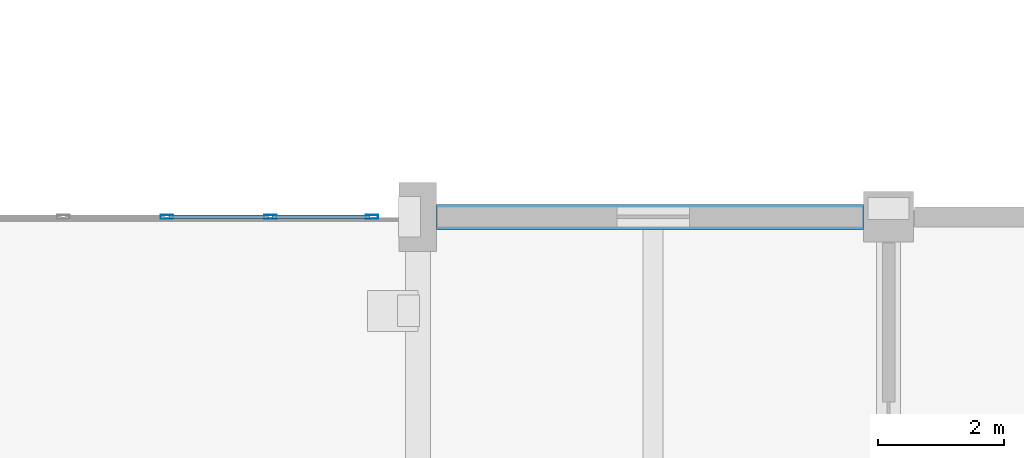
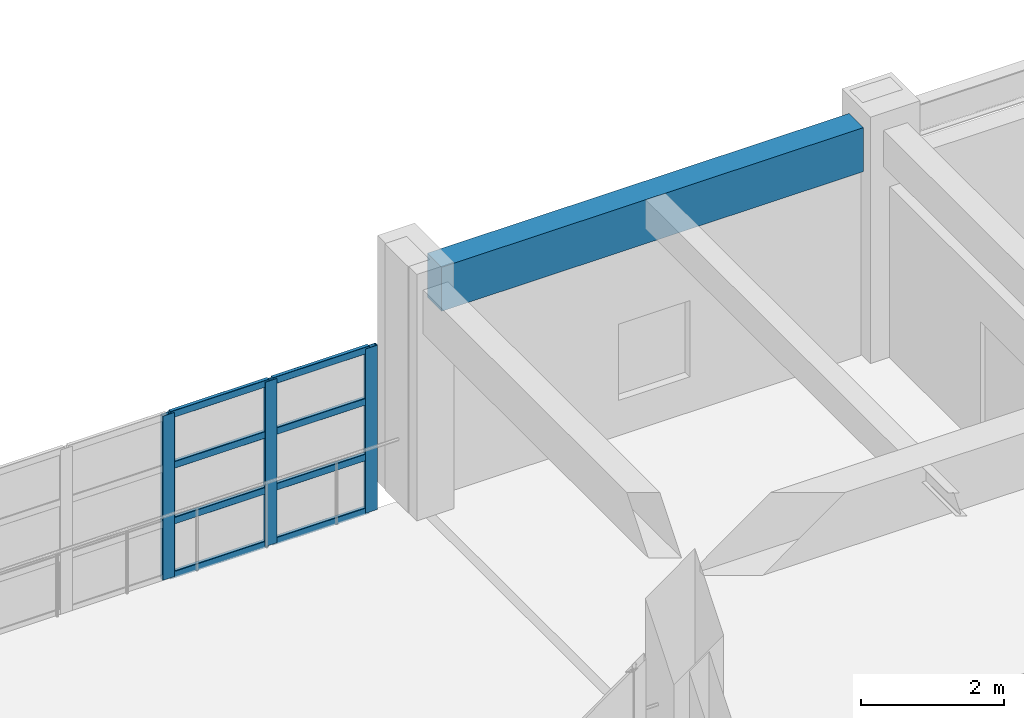
# One storey, part 49 of 124: 11 members, 1 beam, 1 element without a shape of its own.
"""IFC4 building model written with IfcOpenShell, lengths in metres."""

import ifcopenshell
import ifcopenshell.guid

model = None  # the IFC model being written
_history = None  # IfcOwnerHistory: only IFC2X3 demands one
_inside = {}  # id of a spatial element -> (the spatial element, [elements in it])
_under = {}  # id of a project, library or spatial element -> (it, [spatial elements below it])
_declared = {}  # id of a project -> (the project, [libraries it declares])
_typed = {}  # id of a type object -> (the type object, [elements of that type])
_made_of = {}  # id of a material, layer set ... -> (it, [elements and type objects made of it])


def new_model(schema):
    """Start an empty IFC model of exactly this schema.

    Asked for "IFC4X3", IfcOpenShell would pick the latest addendum, in which some entities
    have other attributes; the version numbers below select the first issue.
    IFC2X3 requires an IfcOwnerHistory on every rooted entity: one is made here for all.
    """
    global model, _history
    if schema == "IFC4X3":
        model = ifcopenshell.file(schema_version=(4, 3, 0, 0))
    else:
        model = ifcopenshell.file(schema=schema)
    _inside.clear()
    _under.clear()
    _declared.clear()
    _typed.clear()
    _made_of.clear()
    _history = None
    if model.schema == "IFC2X3":
        org = make("IfcOrganization", Name="unknown")
        user = make(
            "IfcPersonAndOrganization",
            ThePerson=make("IfcPerson", FamilyName="unknown"),
            TheOrganization=org,
        )
        app = make(
            "IfcApplication",
            ApplicationDeveloper=org,
            Version="unknown",
            ApplicationFullName="unknown",
            ApplicationIdentifier="unknown",
        )
        _history = make(
            "IfcOwnerHistory",
            OwningUser=user,
            OwningApplication=app,
            ChangeAction="ADDED",
            CreationDate=0,
        )
    return model


def make(cls, **values):
    """One entity of the class cls with the attributes given. An attribute that is None is left unset."""
    return model.create_entity(
        cls, **{name: value for name, value in values.items() if value is not None}
    )


def rooted(cls, **values):
    """An entity with a GlobalId (a new one), such as an element, a storey or a relation."""
    return make(cls, GlobalId=ifcopenshell.guid.new(), OwnerHistory=_history, **values)


def si_unit(unit_type, name, prefix=None):
    """IfcSIUnit, for example si_unit("LENGTHUNIT", "METRE", prefix="MILLI")."""
    return make("IfcSIUnit", UnitType=unit_type, Prefix=prefix, Name=name)


def assignment(units):
    """IfcUnitAssignment: the units of a project."""
    return None if units is None else make("IfcUnitAssignment", Units=units)


def point(xyz):
    """IfcCartesianPoint."""
    return None if xyz is None else make("IfcCartesianPoint", Coordinates=xyz)


def direction(xyz):
    """IfcDirection."""
    return None if xyz is None else make("IfcDirection", DirectionRatios=xyz)


def frame(location, z_axis=None, x_axis=None):
    """IfcAxis2Placement3D, a coordinate frame: its origin and axes. An axis left out is left unset."""
    return make(
        "IfcAxis2Placement3D",
        Location=point(location),
        Axis=direction(z_axis),
        RefDirection=direction(x_axis),
    )


def frame_2d(location, x_axis=None):
    """IfcAxis2Placement2D, a coordinate frame in the plane: its origin and x axis."""
    return make(
        "IfcAxis2Placement2D", Location=point(location), RefDirection=direction(x_axis)
    )


def origin():
    """The frame at (0, 0, 0) with its axes left unset."""
    return frame((0.0, 0.0, 0.0))


def origin_2d():
    """The frame at (0, 0) in the plane with its x axis left unset."""
    return frame_2d((0.0, 0.0))


def place(relative_to, where):
    """IfcLocalPlacement: puts the frame where relative to a parent placement (None: the world)."""
    return make(
        "IfcLocalPlacement", PlacementRelTo=relative_to, RelativePlacement=where
    )


def context(
    kind, dimensions, precision=None, world=None, true_north=None, identifier=None
):
    """IfcGeometricRepresentationContext, for example the 3D "Model" context."""
    return make(
        "IfcGeometricRepresentationContext",
        ContextIdentifier=identifier,
        ContextType=kind,
        CoordinateSpaceDimension=dimensions,
        Precision=precision,
        WorldCoordinateSystem=world,
        TrueNorth=true_north,
    )


def subcontext(parent, identifier, kind, view, scale=None):
    """IfcGeometricRepresentationSubContext, for example "Body" below "Model"."""
    return make(
        "IfcGeometricRepresentationSubContext",
        ContextIdentifier=identifier,
        ContextType=kind,
        ParentContext=parent,
        TargetScale=scale,
        TargetView=view,
    )


def project(units=None, contexts=None):
    """IfcProject with its units and contexts."""
    return rooted(
        "IfcProject",
        Name="project",
        RepresentationContexts=contexts,
        UnitsInContext=assignment(units),
    )


def spatial(cls, under=None, at=None, **own):
    """A site, building, storey or space (cls), placed at a placement, below another one or the project."""
    s = rooted(cls, ObjectPlacement=at, **own)
    if under is not None:
        _under.setdefault(under.id(), (under, []))[1].append(s)
    return s


def profile(cls, at=None, kind="AREA", **sizes):
    """A parametric profile (cls). Its sizes go by their IFC names, for example OverallWidth=200.0."""
    return make(cls, ProfileType=kind, Position=at, **sizes)


def rectangle(**sizes):
    """IfcRectangleProfileDef."""
    return profile("IfcRectangleProfileDef", **sizes)


def hollow_rectangle(**sizes):
    """IfcRectangleHollowProfileDef."""
    return profile("IfcRectangleHollowProfileDef", **sizes)


def extrude(swept, where, along, depth):
    """IfcExtrudedAreaSolid: the profile swept, set in the frame where, extruded along a direction by depth."""
    return make(
        "IfcExtrudedAreaSolid",
        SweptArea=swept,
        Position=where,
        ExtrudedDirection=direction(along),
        Depth=depth,
    )


def shape(context_of_items, identifier, shape_type, items):
    """IfcShapeRepresentation: the items that make up one representation, for example the "Body"."""
    return make(
        "IfcShapeRepresentation",
        ContextOfItems=context_of_items,
        RepresentationIdentifier=identifier,
        RepresentationType=shape_type,
        Items=items,
    )


def material(Name=None, Category=None):
    """IfcMaterial."""
    return make("IfcMaterial", Name=Name, Category=Category)


def material_profile(
    of_material, cross_section, Name=None, Category=None, Priority=None
):
    """IfcMaterialProfile: a cross section and its material."""
    return make(
        "IfcMaterialProfile",
        Name=Name,
        Material=of_material,
        Profile=cross_section,
        Priority=Priority,
        Category=Category,
    )


def profile_set(profiles, Name=None, composite=None):
    """IfcMaterialProfileSet."""
    return make(
        "IfcMaterialProfileSet",
        Name=Name,
        MaterialProfiles=profiles,
        CompositeProfile=composite,
    )


def made_of(thing, what):
    """Note that an element or type object is made of a material, layer set ...; save() writes the relation."""
    if what is not None:
        _made_of.setdefault(what.id(), (what, []))[1].append(thing)
    return thing


def type_object(cls, material=None, **own):
    """A type object (cls), such as IfcWallType, which elements share."""
    return made_of(rooted(cls, **own), material)


def element(
    cls,
    number,
    at=None,
    inside=None,
    cuts=None,
    type_object=None,
    material=None,
    context=None,
    identifier="Body",
    shape_type=None,
    held_by="IfcProductDefinitionShape",
    body=None,
    shapes=None,
    **own,
):
    """One element of the class cls, such as IfcWall. Its Tag is "e" and its number.

    at: its placement. inside: the storey or other place that contains it. cuts: it is an
    opening in that element (IfcRelVoidsElement). A single representation is given by context,
    identifier, shape_type and body (its items); several are given by shapes. held_by: the class
    of the entity that holds the representations. save() writes the other relations.
    """
    e = rooted(cls, Tag="e%d" % number, ObjectPlacement=at, **own)
    if body is not None:
        shapes = [shape(context, identifier, shape_type, body)]
    if shapes is not None:
        e.Representation = make(held_by, Representations=shapes)
    if inside is not None:
        _inside.setdefault(inside.id(), (inside, []))[1].append(e)
    if cuts is not None:
        rooted(
            "IfcRelVoidsElement", RelatingBuildingElement=cuts, RelatedOpeningElement=e
        )
    if type_object is not None:
        _typed.setdefault(type_object.id(), (type_object, []))[1].append(e)
    return made_of(e, material)


def aggregate(whole, parts):
    """IfcRelAggregates: a whole, such as a stair, and the parts it consists of."""
    return rooted("IfcRelAggregates", RelatingObject=whole, RelatedObjects=parts)


def save(model, path):
    """Write the relations noted so far, then the file.

    IfcRelAggregates (storeys below a building ...), IfcRelContainedInSpatialStructure (elements
    in a storey), IfcRelDefinesByType, IfcRelAssociatesMaterial and IfcRelDeclares: one each for
    every whole, place, type object, material and project.
    """
    for whole, parts in _under.values():
        aggregate(whole, parts)
    for where, things in _inside.values():
        rooted(
            "IfcRelContainedInSpatialStructure",
            RelatedElements=things,
            RelatingStructure=where,
        )
    for kind, things in _typed.values():
        rooted("IfcRelDefinesByType", RelatedObjects=things, RelatingType=kind)
    for what, things in _made_of.values():
        rooted("IfcRelAssociatesMaterial", RelatedObjects=things, RelatingMaterial=what)
    for by, libraries in _declared.values():
        rooted("IfcRelDeclares", RelatingContext=by, RelatedDefinitions=libraries)
    model.write(path)


model = new_model("IFC4")

# Units and contexts
model_context = context("Model", 3, precision=1e-05, world=origin(), true_north=direction((0.0, 1.0)))
body_context = subcontext(model_context, "Body", "Model", "MODEL_VIEW")
ifc_project = project(units=[si_unit("LENGTHUNIT", "METRE"), si_unit("AREAUNIT", "SQUARE_METRE"), si_unit("VOLUMEUNIT", "CUBIC_METRE"), si_unit("PLANEANGLEUNIT", "RADIAN"), si_unit("MASSUNIT", "GRAM", prefix="KILO")], contexts=[model_context])

# Site, building, storey
site_placement = place(None, origin())
site = spatial("IfcSite", under=ifc_project, at=site_placement, CompositionType="ELEMENT")
building_placement = place(site_placement, origin())
building = spatial("IfcBuilding", under=site, at=building_placement, Name="Qasida Concert Hall", CompositionType="ELEMENT")
storey_placement = place(building_placement, frame((0.0, 0.0, 9.0)))
storey = spatial("IfcBuildingStorey", under=building, at=storey_placement, Name="L02", CompositionType="ELEMENT", Elevation=9.0)

# Beam
ifc_material_1 = material(Name="Concrete C40/50", Category="concrete")
ifc_material_profile_1 = material_profile(ifc_material_1, rectangle(XDim=0.39990234375, YDim=0.75, at=origin_2d()), Name="RC 400x750")
ifc_profile_set_1 = profile_set([ifc_material_profile_1], Name="Concrete C40/50")
beam_type = type_object("IfcBeamType", Name="BM-SP1", PredefinedType="SPANDREL", material=ifc_profile_set_1)
beam_placement = place(storey_placement, frame((52.800048828125, 82.5, 3.52490234375), z_axis=(1.0, 0.0, 0.0), x_axis=(0.0, 1.0, 0.0)))
element("IfcBeam", 1, at=beam_placement, inside=storey, type_object=beam_type, Name="Primary girder 1164", PredefinedType="SPANDREL", context=body_context, shape_type="SweptSolid", body=[
    extrude(rectangle(XDim=0.39990234375, YDim=0.75, at=origin_2d()), origin(), (0.0, 0.0, 1.0), 6.800048828125),
])

# Curtain wall, members
ifc_material_2 = material(Name="Architectural bronze-anodized aluminium and low-E glass", Category="aluminium")
curtain_wall_type = type_object("IfcCurtainWallType", Name="CW-08", PredefinedType="NOTDEFINED", material=ifc_material_2)
curtain_wall_placement = place(storey_placement, origin())
curtain_wall = element("IfcCurtainWall", 2, at=curtain_wall_placement, inside=storey, type_object=curtain_wall_type, Name="L02 link bridge glazing 0221", PredefinedType="NOTDEFINED")
ifc_material_3 = material(Name="Architectural bronze-anodized aluminium EN AW-6063", Category="aluminium")
ifc_material_profile_2 = material_profile(ifc_material_3, hollow_rectangle(XDim=0.06494140625, YDim=0.199951171875, WallThickness=0.0048828125, InnerFilletRadius=0.0048828125, OuterFilletRadius=0.010009765625, at=origin_2d()), Name="CWM 200x65x5")
ifc_profile_set_2 = profile_set([ifc_material_profile_2], Name="Architectural bronze-anodized aluminium EN AW-6063")
member_type_1 = type_object("IfcMemberType", Name="MB-CWM-2", PredefinedType="MULLION", material=ifc_profile_set_2)
member_1_placement = place(storey_placement, frame((48.5, 82.5, 0.0), z_axis=(0.0, 0.0, 1.0), x_axis=(0.0, 1.0, 0.0)))
member_1 = element("IfcMember", 3, at=member_1_placement, type_object=member_type_1, Name="CW-08 mullion 3", PredefinedType="MULLION", context=body_context, shape_type="SweptSolid", body=[
    extrude(hollow_rectangle(XDim=0.06494140625, YDim=0.199951171875, WallThickness=0.0048828125, InnerFilletRadius=0.0048828125, OuterFilletRadius=0.010009765625, at=origin_2d()), origin(), (0.0, 0.0, 1.0), 2.800048828125),
])
member_2_placement = place(storey_placement, frame((50.14990234375, 82.5, 0.0), z_axis=(0.0, 0.0, 1.0), x_axis=(0.0, 1.0, 0.0)))
member_2 = element("IfcMember", 4, at=member_2_placement, type_object=member_type_1, Name="CW-08 mullion 4", PredefinedType="MULLION", context=body_context, shape_type="SweptSolid", body=[
    extrude(hollow_rectangle(XDim=0.06494140625, YDim=0.199951171875, WallThickness=0.0048828125, InnerFilletRadius=0.0048828125, OuterFilletRadius=0.010009765625, at=origin_2d()), origin(), (0.0, 0.0, 1.0), 2.800048828125),
])
member_3_placement = place(storey_placement, frame((51.767578125, 82.5, 0.0), z_axis=(0.0, 0.0, 1.0), x_axis=(0.0, 1.0, 0.0)))
member_3 = element("IfcMember", 5, at=member_3_placement, type_object=member_type_1, Name="CW-08 mullion 5", PredefinedType="MULLION", context=body_context, shape_type="SweptSolid", body=[
    extrude(hollow_rectangle(XDim=0.06494140625, YDim=0.199951171875, WallThickness=0.0048828125, InnerFilletRadius=0.0048828125, OuterFilletRadius=0.010009765625, at=origin_2d()), origin(), (0.0, 0.0, 1.0), 2.800048828125),
])
ifc_material_profile_3 = material_profile(ifc_material_3, hollow_rectangle(XDim=0.06005859375, YDim=0.1201171875, WallThickness=0.00390625, InnerFilletRadius=0.00390625, OuterFilletRadius=0.008056640625, at=origin_2d()), Name="CWT 120x60x4")
ifc_profile_set_3 = profile_set([ifc_material_profile_3], Name="Architectural bronze-anodized aluminium EN AW-6063")
member_type_2 = type_object("IfcMemberType", Name="MB-CWT-2", PredefinedType="USERDEFINED", material=ifc_profile_set_3)
member_4_placement = place(storey_placement, frame((48.532470703125, 82.5, 0.030029296875), z_axis=(1.0, 0.0, 0.0), x_axis=(0.0, 1.0, 0.0)))
member_4 = element("IfcMember", 6, at=member_4_placement, type_object=member_type_2, Name="CW-08 transom 3.1", ObjectType="TRANSOM", PredefinedType="USERDEFINED", context=body_context, shape_type="SweptSolid", body=[
    extrude(hollow_rectangle(XDim=0.06005859375, YDim=0.1201171875, WallThickness=0.00390625, InnerFilletRadius=0.00390625, OuterFilletRadius=0.008056640625, at=origin_2d()), origin(), (0.0, 0.0, 1.0), 1.5849609375),
])
member_5_placement = place(storey_placement, frame((48.532470703125, 82.5, 0.949951171875), z_axis=(1.0, 0.0, 0.0), x_axis=(0.0, 1.0, 0.0)))
member_5 = element("IfcMember", 7, at=member_5_placement, type_object=member_type_2, Name="CW-08 transom 3.2", ObjectType="TRANSOM", PredefinedType="USERDEFINED", context=body_context, shape_type="SweptSolid", body=[
    extrude(hollow_rectangle(XDim=0.06005859375, YDim=0.1201171875, WallThickness=0.00390625, InnerFilletRadius=0.00390625, OuterFilletRadius=0.008056640625, at=origin_2d()), origin(), (0.0, 0.0, 1.0), 1.5849609375),
])
member_6_placement = place(storey_placement, frame((48.532470703125, 82.5, 1.89990234375), z_axis=(1.0, 0.0, 0.0), x_axis=(0.0, 1.0, 0.0)))
member_6 = element("IfcMember", 8, at=member_6_placement, type_object=member_type_2, Name="CW-08 transom 3.3", ObjectType="TRANSOM", PredefinedType="USERDEFINED", context=body_context, shape_type="SweptSolid", body=[
    extrude(hollow_rectangle(XDim=0.06005859375, YDim=0.1201171875, WallThickness=0.00390625, InnerFilletRadius=0.00390625, OuterFilletRadius=0.008056640625, at=origin_2d()), origin(), (0.0, 0.0, 1.0), 1.5849609375),
])
member_7_placement = place(storey_placement, frame((48.532470703125, 82.5, 2.77001953125), z_axis=(1.0, 0.0, 0.0), x_axis=(0.0, 1.0, 0.0)))
member_7 = element("IfcMember", 9, at=member_7_placement, type_object=member_type_2, Name="CW-08 transom 3.4", ObjectType="TRANSOM", PredefinedType="USERDEFINED", context=body_context, shape_type="SweptSolid", body=[
    extrude(hollow_rectangle(XDim=0.06005859375, YDim=0.1201171875, WallThickness=0.00390625, InnerFilletRadius=0.00390625, OuterFilletRadius=0.008056640625, at=origin_2d()), origin(), (0.0, 0.0, 1.0), 1.5849609375),
])
member_8_placement = place(storey_placement, frame((50.1826171875, 82.5, 0.030029296875), z_axis=(1.0, 0.0, 0.0), x_axis=(0.0, 1.0, 0.0)))
member_8 = element("IfcMember", 10, at=member_8_placement, type_object=member_type_2, Name="CW-08 transom 4.1", ObjectType="TRANSOM", PredefinedType="USERDEFINED", context=body_context, shape_type="SweptSolid", body=[
    extrude(hollow_rectangle(XDim=0.06005859375, YDim=0.1201171875, WallThickness=0.00390625, InnerFilletRadius=0.00390625, OuterFilletRadius=0.008056640625, at=origin_2d()), origin(), (0.0, 0.0, 1.0), 1.552490234375),
])
member_9_placement = place(storey_placement, frame((50.1826171875, 82.5, 0.949951171875), z_axis=(1.0, 0.0, 0.0), x_axis=(0.0, 1.0, 0.0)))
member_9 = element("IfcMember", 11, at=member_9_placement, type_object=member_type_2, Name="CW-08 transom 4.2", ObjectType="TRANSOM", PredefinedType="USERDEFINED", context=body_context, shape_type="SweptSolid", body=[
    extrude(hollow_rectangle(XDim=0.06005859375, YDim=0.1201171875, WallThickness=0.00390625, InnerFilletRadius=0.00390625, OuterFilletRadius=0.008056640625, at=origin_2d()), origin(), (0.0, 0.0, 1.0), 1.552490234375),
])
member_10_placement = place(storey_placement, frame((50.1826171875, 82.5, 1.89990234375), z_axis=(1.0, 0.0, 0.0), x_axis=(0.0, 1.0, 0.0)))
member_10 = element("IfcMember", 12, at=member_10_placement, type_object=member_type_2, Name="CW-08 transom 4.3", ObjectType="TRANSOM", PredefinedType="USERDEFINED", context=body_context, shape_type="SweptSolid", body=[
    extrude(hollow_rectangle(XDim=0.06005859375, YDim=0.1201171875, WallThickness=0.00390625, InnerFilletRadius=0.00390625, OuterFilletRadius=0.008056640625, at=origin_2d()), origin(), (0.0, 0.0, 1.0), 1.552490234375),
])
member_11_placement = place(storey_placement, frame((50.1826171875, 82.5, 2.77001953125), z_axis=(1.0, 0.0, 0.0), x_axis=(0.0, 1.0, 0.0)))
member_11 = element("IfcMember", 13, at=member_11_placement, type_object=member_type_2, Name="CW-08 transom 4.4", ObjectType="TRANSOM", PredefinedType="USERDEFINED", context=body_context, shape_type="SweptSolid", body=[
    extrude(hollow_rectangle(XDim=0.06005859375, YDim=0.1201171875, WallThickness=0.00390625, InnerFilletRadius=0.00390625, OuterFilletRadius=0.008056640625, at=origin_2d()), origin(), (0.0, 0.0, 1.0), 1.552490234375),
])
aggregate(curtain_wall, [member_1, member_2, member_3, member_4, member_5, member_6, member_7, member_8, member_9, member_10, member_11])

save(model, "model.ifc")
